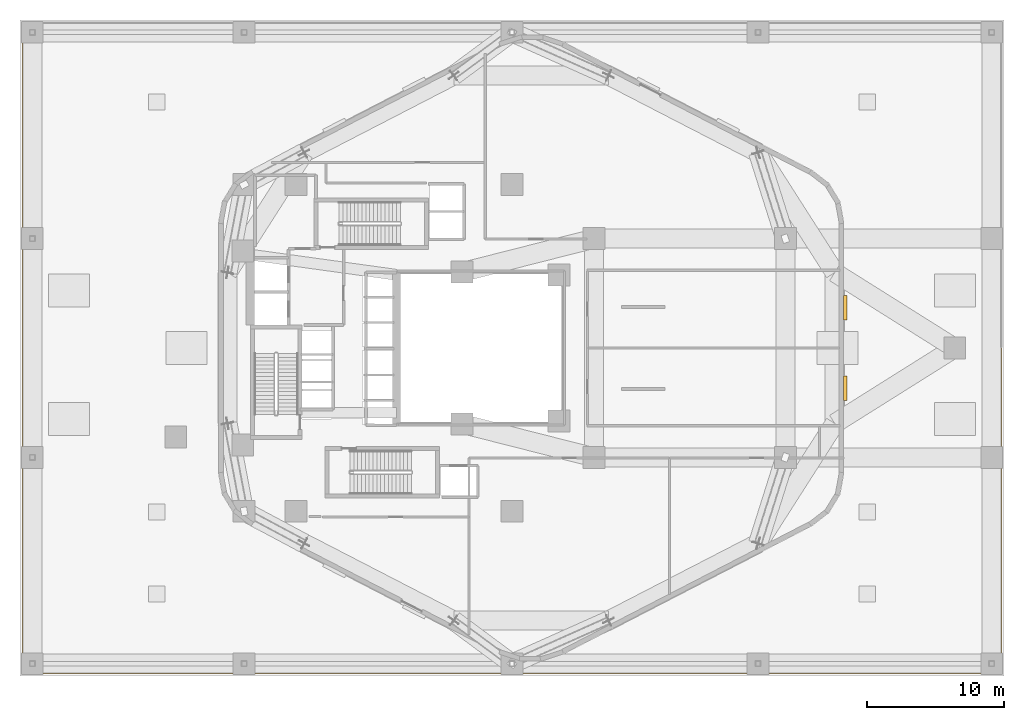
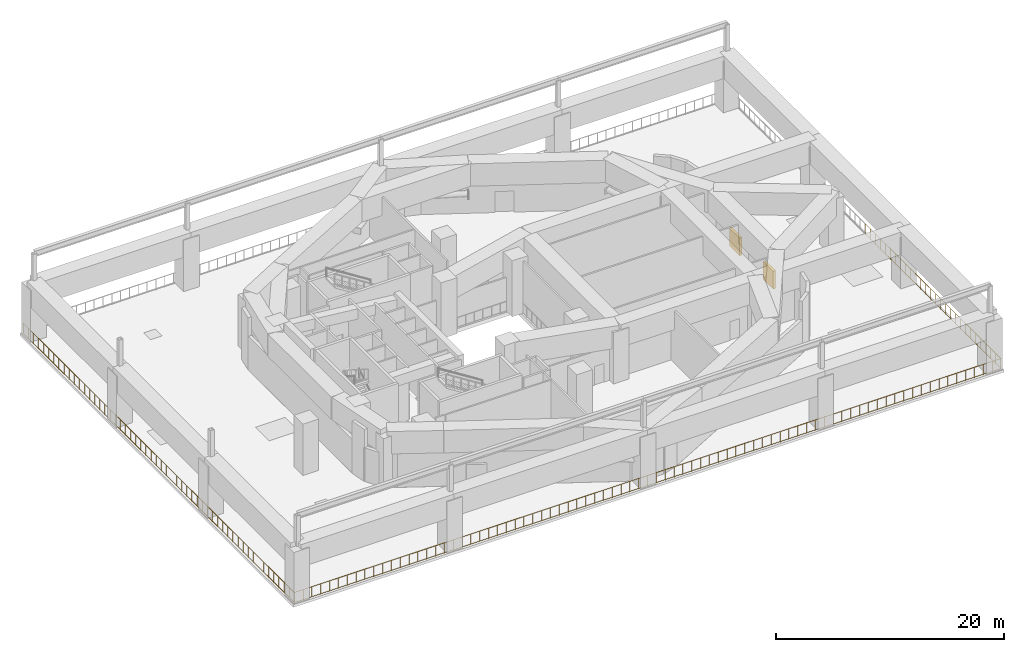
# One storey, part 13 of 15: 2 shading devices, 1 railing.
"""IFC4 building model written with IfcOpenShell, lengths in metres."""

from ifc_helpers import new_model, si_unit, direction, frame, origin, origin_2d, place, context, subcontext, project, spatial, rectangle, circle, extrude, material, type_object, element, save


model = new_model("IFC4")

# Units and contexts
model_context = context("Model", 3, precision=1e-05, world=origin(), true_north=direction((0.0, 1.0)))
body_context = subcontext(model_context, "Body", "Model", "MODEL_VIEW")
ifc_project = project(units=[si_unit("LENGTHUNIT", "METRE"), si_unit("AREAUNIT", "SQUARE_METRE"), si_unit("VOLUMEUNIT", "CUBIC_METRE"), si_unit("PLANEANGLEUNIT", "RADIAN"), si_unit("MASSUNIT", "GRAM", prefix="KILO"), si_unit("THERMODYNAMICTEMPERATUREUNIT", "KELVIN"), si_unit("POWERUNIT", "WATT")], contexts=[model_context])

# Site, building, storey
site_placement = place(None, origin())
site = spatial("IfcSite", under=ifc_project, at=site_placement, CompositionType="ELEMENT")
building_placement = place(site_placement, origin())
building = spatial("IfcBuilding", under=site, at=building_placement, Name="Skarre Station Tower", CompositionType="ELEMENT")
storey_placement = place(building_placement, frame((0.0, 0.0, 21.0)))
storey = spatial("IfcBuildingStorey", under=building, at=storey_placement, Name="L05", CompositionType="ELEMENT", Elevation=21.0)

# Railing
ifc_material_1 = material(Name="Stainless Steel Grade 316L & Laminated Safety Glass", Category="steel")
railing_type = type_object("IfcRailingType", Name="Laminated Glass & Stainless Terrace Guardrail 1150", PredefinedType="BALUSTRADE", material=ifc_material_1)
railing_placement = place(storey_placement, frame((0.199951171875, 47.800048828125, 0.0)))
element("IfcRailing", 1, at=railing_placement, inside=storey, type_object=railing_type, Name="L05 Podium Roof Garden South-West Guardrail", PredefinedType="BALUSTRADE", context=body_context, shape_type="SweptSolid", body=[
    extrude(circle(Radius=0.02392578125, at=origin_2d()), frame((0.0, 0.0, 1.1259765625), z_axis=(0.0, -1.0, 0.0), x_axis=(1.0, 0.0, 0.0)), (0.0, 0.0, 1.0), 47.60009765625),
    extrude(circle(Radius=0.02099609375, at=origin_2d()), frame((0.0, 0.0, 0.06005859375), z_axis=(0.0, -1.0, 0.0), x_axis=(1.0, 0.0, 0.0)), (0.0, 0.0, 1.0), 47.60009765625),
    extrude(circle(Radius=0.02392578125, at=origin_2d()), frame((0.0, -47.60009765625, 1.1259765625), z_axis=(1.0, 0.0, 0.0), x_axis=(0.0, 1.0, 0.0)), (0.0, 0.0, 1.0), 71.60009765625),
    extrude(circle(Radius=0.02099609375, at=origin_2d()), frame((0.0, -47.60009765625, 0.06005859375), z_axis=(1.0, 0.0, 0.0), x_axis=(0.0, 1.0, 0.0)), (0.0, 0.0, 1.0), 71.60009765625),
    extrude(circle(Radius=0.02392578125, at=origin_2d()), frame((71.60009765625, -47.60009765625, 1.1259765625), z_axis=(0.0, 1.0, 0.0), x_axis=(-1.0, 0.0, 0.0)), (0.0, 0.0, 1.0), 23.800048828125),
    extrude(circle(Radius=0.02099609375, at=origin_2d()), frame((71.60009765625, -47.60009765625, 0.06005859375), z_axis=(0.0, 1.0, 0.0), x_axis=(-1.0, 0.0, 0.0)), (0.0, 0.0, 1.0), 23.800048828125),
    extrude(circle(Radius=0.02099609375, at=origin_2d()), origin(), (0.0, 0.0, 1.0), 1.101806640625),
    extrude(circle(Radius=0.02099609375, at=origin_2d()), frame((0.0, -0.898193359375, 0.0)), (0.0, 0.0, 1.0), 1.101806640625),
    extrude(circle(Radius=0.02099609375, at=origin_2d()), frame((0.0, -1.796142578125, 0.0)), (0.0, 0.0, 1.0), 1.101806640625),
    extrude(circle(Radius=0.02099609375, at=origin_2d()), frame((0.0, -2.6943359375, 0.0)), (0.0, 0.0, 1.0), 1.101806640625),
    extrude(circle(Radius=0.02099609375, at=origin_2d()), frame((0.0, -3.592529296875, 0.0)), (0.0, 0.0, 1.0), 1.101806640625),
    extrude(circle(Radius=0.02099609375, at=origin_2d()), frame((0.0, -4.490478515625, 0.0)), (0.0, 0.0, 1.0), 1.101806640625),
    extrude(circle(Radius=0.02099609375, at=origin_2d()), frame((0.0, -5.388671875, 0.0)), (0.0, 0.0, 1.0), 1.101806640625),
    extrude(circle(Radius=0.02099609375, at=origin_2d()), frame((0.0, -6.286865234375, 0.0)), (0.0, 0.0, 1.0), 1.101806640625),
    extrude(circle(Radius=0.02099609375, at=origin_2d()), frame((0.0, -7.184814453125, 0.0)), (0.0, 0.0, 1.0), 1.101806640625),
    extrude(circle(Radius=0.02099609375, at=origin_2d()), frame((0.0, -8.0830078125, 0.0)), (0.0, 0.0, 1.0), 1.101806640625),
    extrude(circle(Radius=0.02099609375, at=origin_2d()), frame((0.0, -8.981201171875, 0.0)), (0.0, 0.0, 1.0), 1.101806640625),
    extrude(circle(Radius=0.02099609375, at=origin_2d()), frame((0.0, -9.879150390625, 0.0)), (0.0, 0.0, 1.0), 1.101806640625),
    extrude(circle(Radius=0.02099609375, at=origin_2d()), frame((0.0, -10.77734375, 0.0)), (0.0, 0.0, 1.0), 1.101806640625),
    extrude(circle(Radius=0.02099609375, at=origin_2d()), frame((0.0, -11.675537109375, 0.0)), (0.0, 0.0, 1.0), 1.101806640625),
    extrude(circle(Radius=0.02099609375, at=origin_2d()), frame((0.0, -12.57373046875, 0.0)), (0.0, 0.0, 1.0), 1.101806640625),
    extrude(circle(Radius=0.02099609375, at=origin_2d()), frame((0.0, -13.4716796875, 0.0)), (0.0, 0.0, 1.0), 1.101806640625),
    extrude(circle(Radius=0.02099609375, at=origin_2d()), frame((0.0, -14.369873046875, 0.0)), (0.0, 0.0, 1.0), 1.101806640625),
    extrude(circle(Radius=0.02099609375, at=origin_2d()), frame((0.0, -15.26806640625, 0.0)), (0.0, 0.0, 1.0), 1.101806640625),
    extrude(circle(Radius=0.02099609375, at=origin_2d()), frame((0.0, -16.166015625, 0.0)), (0.0, 0.0, 1.0), 1.101806640625),
    extrude(circle(Radius=0.02099609375, at=origin_2d()), frame((0.0, -17.064208984375, 0.0)), (0.0, 0.0, 1.0), 1.101806640625),
    extrude(circle(Radius=0.02099609375, at=origin_2d()), frame((0.0, -17.96240234375, 0.0)), (0.0, 0.0, 1.0), 1.101806640625),
    extrude(circle(Radius=0.02099609375, at=origin_2d()), frame((0.0, -18.8603515625, 0.0)), (0.0, 0.0, 1.0), 1.101806640625),
    extrude(circle(Radius=0.02099609375, at=origin_2d()), frame((0.0, -19.758544921875, 0.0)), (0.0, 0.0, 1.0), 1.101806640625),
    extrude(circle(Radius=0.02099609375, at=origin_2d()), frame((0.0, -20.65673828125, 0.0)), (0.0, 0.0, 1.0), 1.101806640625),
    extrude(circle(Radius=0.02099609375, at=origin_2d()), frame((0.0, -21.5546875, 0.0)), (0.0, 0.0, 1.0), 1.101806640625),
    extrude(circle(Radius=0.02099609375, at=origin_2d()), frame((0.0, -22.452880859375, 0.0)), (0.0, 0.0, 1.0), 1.101806640625),
    extrude(circle(Radius=0.02099609375, at=origin_2d()), frame((0.0, -23.35107421875, 0.0)), (0.0, 0.0, 1.0), 1.101806640625),
    extrude(circle(Radius=0.02099609375, at=origin_2d()), frame((0.0, -24.2490234375, 0.0)), (0.0, 0.0, 1.0), 1.101806640625),
    extrude(circle(Radius=0.02099609375, at=origin_2d()), frame((0.0, -25.147216796875, 0.0)), (0.0, 0.0, 1.0), 1.101806640625),
    extrude(circle(Radius=0.02099609375, at=origin_2d()), frame((0.0, -26.04541015625, 0.0)), (0.0, 0.0, 1.0), 1.101806640625),
    extrude(circle(Radius=0.02099609375, at=origin_2d()), frame((0.0, -26.943359375, 0.0)), (0.0, 0.0, 1.0), 1.101806640625),
    extrude(circle(Radius=0.02099609375, at=origin_2d()), frame((0.0, -27.841552734375, 0.0)), (0.0, 0.0, 1.0), 1.101806640625),
    extrude(circle(Radius=0.02099609375, at=origin_2d()), frame((0.0, -28.73974609375, 0.0)), (0.0, 0.0, 1.0), 1.101806640625),
    extrude(circle(Radius=0.02099609375, at=origin_2d()), frame((0.0, -29.6376953125, 0.0)), (0.0, 0.0, 1.0), 1.101806640625),
    extrude(circle(Radius=0.02099609375, at=origin_2d()), frame((0.0, -30.535888671875, 0.0)), (0.0, 0.0, 1.0), 1.101806640625),
    extrude(circle(Radius=0.02099609375, at=origin_2d()), frame((0.0, -31.43408203125, 0.0)), (0.0, 0.0, 1.0), 1.101806640625),
    extrude(circle(Radius=0.02099609375, at=origin_2d()), frame((0.0, -32.33203125, 0.0)), (0.0, 0.0, 1.0), 1.101806640625),
    extrude(circle(Radius=0.02099609375, at=origin_2d()), frame((0.0, -33.230224609375, 0.0)), (0.0, 0.0, 1.0), 1.101806640625),
    extrude(circle(Radius=0.02099609375, at=origin_2d()), frame((0.0, -34.12841796875, 0.0)), (0.0, 0.0, 1.0), 1.101806640625),
    extrude(circle(Radius=0.02099609375, at=origin_2d()), frame((0.0, -35.0263671875, 0.0)), (0.0, 0.0, 1.0), 1.101806640625),
    extrude(circle(Radius=0.02099609375, at=origin_2d()), frame((0.0, -35.924560546875, 0.0)), (0.0, 0.0, 1.0), 1.101806640625),
    extrude(circle(Radius=0.02099609375, at=origin_2d()), frame((0.0, -36.82275390625, 0.0)), (0.0, 0.0, 1.0), 1.101806640625),
    extrude(circle(Radius=0.02099609375, at=origin_2d()), frame((0.0, -37.720947265625, 0.0)), (0.0, 0.0, 1.0), 1.101806640625),
    extrude(circle(Radius=0.02099609375, at=origin_2d()), frame((0.0, -38.618896484375, 0.0)), (0.0, 0.0, 1.0), 1.101806640625),
    extrude(circle(Radius=0.02099609375, at=origin_2d()), frame((0.0, -39.51708984375, 0.0)), (0.0, 0.0, 1.0), 1.101806640625),
    extrude(circle(Radius=0.02099609375, at=origin_2d()), frame((0.0, -40.415283203125, 0.0)), (0.0, 0.0, 1.0), 1.101806640625),
    extrude(circle(Radius=0.02099609375, at=origin_2d()), frame((0.0, -41.313232421875, 0.0)), (0.0, 0.0, 1.0), 1.101806640625),
    extrude(circle(Radius=0.02099609375, at=origin_2d()), frame((0.0, -42.21142578125, 0.0)), (0.0, 0.0, 1.0), 1.101806640625),
    extrude(circle(Radius=0.02099609375, at=origin_2d()), frame((0.0, -43.109619140625, 0.0)), (0.0, 0.0, 1.0), 1.101806640625),
    extrude(circle(Radius=0.02099609375, at=origin_2d()), frame((0.0, -44.007568359375, 0.0)), (0.0, 0.0, 1.0), 1.101806640625),
    extrude(circle(Radius=0.02099609375, at=origin_2d()), frame((0.0, -44.90576171875, 0.0)), (0.0, 0.0, 1.0), 1.101806640625),
    extrude(circle(Radius=0.02099609375, at=origin_2d()), frame((0.0, -45.803955078125, 0.0)), (0.0, 0.0, 1.0), 1.101806640625),
    extrude(circle(Radius=0.02099609375, at=origin_2d()), frame((0.0, -46.701904296875, 0.0)), (0.0, 0.0, 1.0), 1.101806640625),
    extrude(circle(Radius=0.02099609375, at=origin_2d()), frame((0.0, -47.60009765625, 0.0)), (0.0, 0.0, 1.0), 1.101806640625),
    extrude(circle(Radius=0.02099609375, at=origin_2d()), frame((0.89501953125, -47.60009765625, 0.0)), (0.0, 0.0, 1.0), 1.101806640625),
    extrude(circle(Radius=0.02099609375, at=origin_2d()), frame((1.7900390625, -47.60009765625, 0.0)), (0.0, 0.0, 1.0), 1.101806640625),
    extrude(circle(Radius=0.02099609375, at=origin_2d()), frame((2.68505859375, -47.60009765625, 0.0)), (0.0, 0.0, 1.0), 1.101806640625),
    extrude(circle(Radius=0.02099609375, at=origin_2d()), frame((3.580078125, -47.60009765625, 0.0)), (0.0, 0.0, 1.0), 1.101806640625),
    extrude(circle(Radius=0.02099609375, at=origin_2d()), frame((4.47509765625, -47.60009765625, 0.0)), (0.0, 0.0, 1.0), 1.101806640625),
    extrude(circle(Radius=0.02099609375, at=origin_2d()), frame((5.3701171875, -47.60009765625, 0.0)), (0.0, 0.0, 1.0), 1.101806640625),
    extrude(circle(Radius=0.02099609375, at=origin_2d()), frame((6.264892578125, -47.60009765625, 0.0)), (0.0, 0.0, 1.0), 1.101806640625),
    extrude(circle(Radius=0.02099609375, at=origin_2d()), frame((7.159912109375, -47.60009765625, 0.0)), (0.0, 0.0, 1.0), 1.101806640625),
    extrude(circle(Radius=0.02099609375, at=origin_2d()), frame((8.054931640625, -47.60009765625, 0.0)), (0.0, 0.0, 1.0), 1.101806640625),
    extrude(circle(Radius=0.02099609375, at=origin_2d()), frame((8.949951171875, -47.60009765625, 0.0)), (0.0, 0.0, 1.0), 1.101806640625),
    extrude(circle(Radius=0.02099609375, at=origin_2d()), frame((9.844970703125, -47.60009765625, 0.0)), (0.0, 0.0, 1.0), 1.101806640625),
    extrude(circle(Radius=0.02099609375, at=origin_2d()), frame((10.739990234375, -47.60009765625, 0.0)), (0.0, 0.0, 1.0), 1.101806640625),
    extrude(circle(Radius=0.02099609375, at=origin_2d()), frame((11.635009765625, -47.60009765625, 0.0)), (0.0, 0.0, 1.0), 1.101806640625),
    extrude(circle(Radius=0.02099609375, at=origin_2d()), frame((12.530029296875, -47.60009765625, 0.0)), (0.0, 0.0, 1.0), 1.101806640625),
    extrude(circle(Radius=0.02099609375, at=origin_2d()), frame((13.425048828125, -47.60009765625, 0.0)), (0.0, 0.0, 1.0), 1.101806640625),
    extrude(circle(Radius=0.02099609375, at=origin_2d()), frame((14.320068359375, -47.60009765625, 0.0)), (0.0, 0.0, 1.0), 1.101806640625),
    extrude(circle(Radius=0.02099609375, at=origin_2d()), frame((15.215087890625, -47.60009765625, 0.0)), (0.0, 0.0, 1.0), 1.101806640625),
    extrude(circle(Radius=0.02099609375, at=origin_2d()), frame((16.110107421875, -47.60009765625, 0.0)), (0.0, 0.0, 1.0), 1.101806640625),
    extrude(circle(Radius=0.02099609375, at=origin_2d()), frame((17.005126953125, -47.60009765625, 0.0)), (0.0, 0.0, 1.0), 1.101806640625),
    extrude(circle(Radius=0.02099609375, at=origin_2d()), frame((17.89990234375, -47.60009765625, 0.0)), (0.0, 0.0, 1.0), 1.101806640625),
    extrude(circle(Radius=0.02099609375, at=origin_2d()), frame((18.794921875, -47.60009765625, 0.0)), (0.0, 0.0, 1.0), 1.101806640625),
    extrude(circle(Radius=0.02099609375, at=origin_2d()), frame((19.68994140625, -47.60009765625, 0.0)), (0.0, 0.0, 1.0), 1.101806640625),
    extrude(circle(Radius=0.02099609375, at=origin_2d()), frame((20.5849609375, -47.60009765625, 0.0)), (0.0, 0.0, 1.0), 1.101806640625),
    extrude(circle(Radius=0.02099609375, at=origin_2d()), frame((21.47998046875, -47.60009765625, 0.0)), (0.0, 0.0, 1.0), 1.101806640625),
    extrude(circle(Radius=0.02099609375, at=origin_2d()), frame((22.375, -47.60009765625, 0.0)), (0.0, 0.0, 1.0), 1.101806640625),
    extrude(circle(Radius=0.02099609375, at=origin_2d()), frame((23.27001953125, -47.60009765625, 0.0)), (0.0, 0.0, 1.0), 1.101806640625),
    extrude(circle(Radius=0.02099609375, at=origin_2d()), frame((24.1650390625, -47.60009765625, 0.0)), (0.0, 0.0, 1.0), 1.101806640625),
    extrude(circle(Radius=0.02099609375, at=origin_2d()), frame((25.06005859375, -47.60009765625, 0.0)), (0.0, 0.0, 1.0), 1.101806640625),
    extrude(circle(Radius=0.02099609375, at=origin_2d()), frame((25.955078125, -47.60009765625, 0.0)), (0.0, 0.0, 1.0), 1.101806640625),
    extrude(circle(Radius=0.02099609375, at=origin_2d()), frame((26.85009765625, -47.60009765625, 0.0)), (0.0, 0.0, 1.0), 1.101806640625),
    extrude(circle(Radius=0.02099609375, at=origin_2d()), frame((27.7451171875, -47.60009765625, 0.0)), (0.0, 0.0, 1.0), 1.101806640625),
    extrude(circle(Radius=0.02099609375, at=origin_2d()), frame((28.64013671875, -47.60009765625, 0.0)), (0.0, 0.0, 1.0), 1.101806640625),
    extrude(circle(Radius=0.02099609375, at=origin_2d()), frame((29.53515625, -47.60009765625, 0.0)), (0.0, 0.0, 1.0), 1.101806640625),
    extrude(circle(Radius=0.02099609375, at=origin_2d()), frame((30.429931640625, -47.60009765625, 0.0)), (0.0, 0.0, 1.0), 1.101806640625),
    extrude(circle(Radius=0.02099609375, at=origin_2d()), frame((31.324951171875, -47.60009765625, 0.0)), (0.0, 0.0, 1.0), 1.101806640625),
    extrude(circle(Radius=0.02099609375, at=origin_2d()), frame((32.219970703125, -47.60009765625, 0.0)), (0.0, 0.0, 1.0), 1.101806640625),
    extrude(circle(Radius=0.02099609375, at=origin_2d()), frame((33.114990234375, -47.60009765625, 0.0)), (0.0, 0.0, 1.0), 1.101806640625),
    extrude(circle(Radius=0.02099609375, at=origin_2d()), frame((34.010009765625, -47.60009765625, 0.0)), (0.0, 0.0, 1.0), 1.101806640625),
    extrude(circle(Radius=0.02099609375, at=origin_2d()), frame((34.905029296875, -47.60009765625, 0.0)), (0.0, 0.0, 1.0), 1.101806640625),
    extrude(circle(Radius=0.02099609375, at=origin_2d()), frame((35.800048828125, -47.60009765625, 0.0)), (0.0, 0.0, 1.0), 1.101806640625),
    extrude(circle(Radius=0.02099609375, at=origin_2d()), frame((36.695068359375, -47.60009765625, 0.0)), (0.0, 0.0, 1.0), 1.101806640625),
    extrude(circle(Radius=0.02099609375, at=origin_2d()), frame((37.590087890625, -47.60009765625, 0.0)), (0.0, 0.0, 1.0), 1.101806640625),
    extrude(circle(Radius=0.02099609375, at=origin_2d()), frame((38.485107421875, -47.60009765625, 0.0)), (0.0, 0.0, 1.0), 1.101806640625),
    extrude(circle(Radius=0.02099609375, at=origin_2d()), frame((39.380126953125, -47.60009765625, 0.0)), (0.0, 0.0, 1.0), 1.101806640625),
    extrude(circle(Radius=0.02099609375, at=origin_2d()), frame((40.275146484375, -47.60009765625, 0.0)), (0.0, 0.0, 1.0), 1.101806640625),
    extrude(circle(Radius=0.02099609375, at=origin_2d()), frame((41.170166015625, -47.60009765625, 0.0)), (0.0, 0.0, 1.0), 1.101806640625),
    extrude(circle(Radius=0.02099609375, at=origin_2d()), frame((42.06494140625, -47.60009765625, 0.0)), (0.0, 0.0, 1.0), 1.101806640625),
    extrude(circle(Radius=0.02099609375, at=origin_2d()), frame((42.9599609375, -47.60009765625, 0.0)), (0.0, 0.0, 1.0), 1.101806640625),
    extrude(circle(Radius=0.02099609375, at=origin_2d()), frame((43.85498046875, -47.60009765625, 0.0)), (0.0, 0.0, 1.0), 1.101806640625),
    extrude(circle(Radius=0.02099609375, at=origin_2d()), frame((44.75, -47.60009765625, 0.0)), (0.0, 0.0, 1.0), 1.101806640625),
    extrude(circle(Radius=0.02099609375, at=origin_2d()), frame((45.64501953125, -47.60009765625, 0.0)), (0.0, 0.0, 1.0), 1.101806640625),
    extrude(circle(Radius=0.02099609375, at=origin_2d()), frame((46.5400390625, -47.60009765625, 0.0)), (0.0, 0.0, 1.0), 1.101806640625),
    extrude(circle(Radius=0.02099609375, at=origin_2d()), frame((47.43505859375, -47.60009765625, 0.0)), (0.0, 0.0, 1.0), 1.101806640625),
    extrude(circle(Radius=0.02099609375, at=origin_2d()), frame((48.330078125, -47.60009765625, 0.0)), (0.0, 0.0, 1.0), 1.101806640625),
    extrude(circle(Radius=0.02099609375, at=origin_2d()), frame((49.22509765625, -47.60009765625, 0.0)), (0.0, 0.0, 1.0), 1.101806640625),
    extrude(circle(Radius=0.02099609375, at=origin_2d()), frame((50.1201171875, -47.60009765625, 0.0)), (0.0, 0.0, 1.0), 1.101806640625),
    extrude(circle(Radius=0.02099609375, at=origin_2d()), frame((51.01513671875, -47.60009765625, 0.0)), (0.0, 0.0, 1.0), 1.101806640625),
    extrude(circle(Radius=0.02099609375, at=origin_2d()), frame((51.91015625, -47.60009765625, 0.0)), (0.0, 0.0, 1.0), 1.101806640625),
    extrude(circle(Radius=0.02099609375, at=origin_2d()), frame((52.80517578125, -47.60009765625, 0.0)), (0.0, 0.0, 1.0), 1.101806640625),
    extrude(circle(Radius=0.02099609375, at=origin_2d()), frame((53.7001953125, -47.60009765625, 0.0)), (0.0, 0.0, 1.0), 1.101806640625),
    extrude(circle(Radius=0.02099609375, at=origin_2d()), frame((54.594970703125, -47.60009765625, 0.0)), (0.0, 0.0, 1.0), 1.101806640625),
    extrude(circle(Radius=0.02099609375, at=origin_2d()), frame((55.489990234375, -47.60009765625, 0.0)), (0.0, 0.0, 1.0), 1.101806640625),
    extrude(circle(Radius=0.02099609375, at=origin_2d()), frame((56.385009765625, -47.60009765625, 0.0)), (0.0, 0.0, 1.0), 1.101806640625),
    extrude(circle(Radius=0.02099609375, at=origin_2d()), frame((57.280029296875, -47.60009765625, 0.0)), (0.0, 0.0, 1.0), 1.101806640625),
    extrude(circle(Radius=0.02099609375, at=origin_2d()), frame((58.175048828125, -47.60009765625, 0.0)), (0.0, 0.0, 1.0), 1.101806640625),
    extrude(circle(Radius=0.02099609375, at=origin_2d()), frame((59.070068359375, -47.60009765625, 0.0)), (0.0, 0.0, 1.0), 1.101806640625),
    extrude(circle(Radius=0.02099609375, at=origin_2d()), frame((59.965087890625, -47.60009765625, 0.0)), (0.0, 0.0, 1.0), 1.101806640625),
    extrude(circle(Radius=0.02099609375, at=origin_2d()), frame((60.860107421875, -47.60009765625, 0.0)), (0.0, 0.0, 1.0), 1.101806640625),
    extrude(circle(Radius=0.02099609375, at=origin_2d()), frame((61.755126953125, -47.60009765625, 0.0)), (0.0, 0.0, 1.0), 1.101806640625),
    extrude(circle(Radius=0.02099609375, at=origin_2d()), frame((62.650146484375, -47.60009765625, 0.0)), (0.0, 0.0, 1.0), 1.101806640625),
    extrude(circle(Radius=0.02099609375, at=origin_2d()), frame((63.545166015625, -47.60009765625, 0.0)), (0.0, 0.0, 1.0), 1.101806640625),
    extrude(circle(Radius=0.02099609375, at=origin_2d()), frame((64.440185546875, -47.60009765625, 0.0)), (0.0, 0.0, 1.0), 1.101806640625),
    extrude(circle(Radius=0.02099609375, at=origin_2d()), frame((65.335205078125, -47.60009765625, 0.0)), (0.0, 0.0, 1.0), 1.101806640625),
    extrude(circle(Radius=0.02099609375, at=origin_2d()), frame((66.22998046875, -47.60009765625, 0.0)), (0.0, 0.0, 1.0), 1.101806640625),
    extrude(circle(Radius=0.02099609375, at=origin_2d()), frame((67.125, -47.60009765625, 0.0)), (0.0, 0.0, 1.0), 1.101806640625),
    extrude(circle(Radius=0.02099609375, at=origin_2d()), frame((68.02001953125, -47.60009765625, 0.0)), (0.0, 0.0, 1.0), 1.101806640625),
    extrude(circle(Radius=0.02099609375, at=origin_2d()), frame((68.9150390625, -47.60009765625, 0.0)), (0.0, 0.0, 1.0), 1.101806640625),
    extrude(circle(Radius=0.02099609375, at=origin_2d()), frame((69.81005859375, -47.60009765625, 0.0)), (0.0, 0.0, 1.0), 1.101806640625),
    extrude(circle(Radius=0.02099609375, at=origin_2d()), frame((70.705078125, -47.60009765625, 0.0)), (0.0, 0.0, 1.0), 1.101806640625),
    extrude(circle(Radius=0.02099609375, at=origin_2d()), frame((71.60009765625, -47.60009765625, 0.0)), (0.0, 0.0, 1.0), 1.101806640625),
    extrude(circle(Radius=0.02099609375, at=origin_2d()), frame((71.60009765625, -46.718505859375, 0.0)), (0.0, 0.0, 1.0), 1.101806640625),
    extrude(circle(Radius=0.02099609375, at=origin_2d()), frame((71.60009765625, -45.837158203125, 0.0)), (0.0, 0.0, 1.0), 1.101806640625),
    extrude(circle(Radius=0.02099609375, at=origin_2d()), frame((71.60009765625, -44.95556640625, 0.0)), (0.0, 0.0, 1.0), 1.101806640625),
    extrude(circle(Radius=0.02099609375, at=origin_2d()), frame((71.60009765625, -44.07421875, 0.0)), (0.0, 0.0, 1.0), 1.101806640625),
    extrude(circle(Radius=0.02099609375, at=origin_2d()), frame((71.60009765625, -43.192626953125, 0.0)), (0.0, 0.0, 1.0), 1.101806640625),
    extrude(circle(Radius=0.02099609375, at=origin_2d()), frame((71.60009765625, -42.311279296875, 0.0)), (0.0, 0.0, 1.0), 1.101806640625),
    extrude(circle(Radius=0.02099609375, at=origin_2d()), frame((71.60009765625, -41.4296875, 0.0)), (0.0, 0.0, 1.0), 1.101806640625),
    extrude(circle(Radius=0.02099609375, at=origin_2d()), frame((71.60009765625, -40.54833984375, 0.0)), (0.0, 0.0, 1.0), 1.101806640625),
    extrude(circle(Radius=0.02099609375, at=origin_2d()), frame((71.60009765625, -39.666748046875, 0.0)), (0.0, 0.0, 1.0), 1.101806640625),
    extrude(circle(Radius=0.02099609375, at=origin_2d()), frame((71.60009765625, -38.78515625, 0.0)), (0.0, 0.0, 1.0), 1.101806640625),
    extrude(circle(Radius=0.02099609375, at=origin_2d()), frame((71.60009765625, -37.90380859375, 0.0)), (0.0, 0.0, 1.0), 1.101806640625),
    extrude(circle(Radius=0.02099609375, at=origin_2d()), frame((71.60009765625, -37.022216796875, 0.0)), (0.0, 0.0, 1.0), 1.101806640625),
    extrude(circle(Radius=0.02099609375, at=origin_2d()), frame((71.60009765625, -36.140869140625, 0.0)), (0.0, 0.0, 1.0), 1.101806640625),
    extrude(circle(Radius=0.02099609375, at=origin_2d()), frame((71.60009765625, -35.25927734375, 0.0)), (0.0, 0.0, 1.0), 1.101806640625),
    extrude(circle(Radius=0.02099609375, at=origin_2d()), frame((71.60009765625, -34.3779296875, 0.0)), (0.0, 0.0, 1.0), 1.101806640625),
    extrude(circle(Radius=0.02099609375, at=origin_2d()), frame((71.60009765625, -33.496337890625, 0.0)), (0.0, 0.0, 1.0), 1.101806640625),
    extrude(circle(Radius=0.02099609375, at=origin_2d()), frame((71.60009765625, -32.614990234375, 0.0)), (0.0, 0.0, 1.0), 1.101806640625),
    extrude(circle(Radius=0.02099609375, at=origin_2d()), frame((71.60009765625, -31.7333984375, 0.0)), (0.0, 0.0, 1.0), 1.101806640625),
    extrude(circle(Radius=0.02099609375, at=origin_2d()), frame((71.60009765625, -30.851806640625, 0.0)), (0.0, 0.0, 1.0), 1.101806640625),
    extrude(circle(Radius=0.02099609375, at=origin_2d()), frame((71.60009765625, -29.970458984375, 0.0)), (0.0, 0.0, 1.0), 1.101806640625),
    extrude(circle(Radius=0.02099609375, at=origin_2d()), frame((71.60009765625, -29.0888671875, 0.0)), (0.0, 0.0, 1.0), 1.101806640625),
    extrude(circle(Radius=0.02099609375, at=origin_2d()), frame((71.60009765625, -28.20751953125, 0.0)), (0.0, 0.0, 1.0), 1.101806640625),
    extrude(circle(Radius=0.02099609375, at=origin_2d()), frame((71.60009765625, -27.325927734375, 0.0)), (0.0, 0.0, 1.0), 1.101806640625),
    extrude(circle(Radius=0.02099609375, at=origin_2d()), frame((71.60009765625, -26.444580078125, 0.0)), (0.0, 0.0, 1.0), 1.101806640625),
    extrude(circle(Radius=0.02099609375, at=origin_2d()), frame((71.60009765625, -25.56298828125, 0.0)), (0.0, 0.0, 1.0), 1.101806640625),
    extrude(circle(Radius=0.02099609375, at=origin_2d()), frame((71.60009765625, -24.681640625, 0.0)), (0.0, 0.0, 1.0), 1.101806640625),
    extrude(circle(Radius=0.02099609375, at=origin_2d()), frame((71.60009765625, -23.800048828125, 0.0)), (0.0, 0.0, 1.0), 1.101806640625),
])

# Shading devices
ifc_material_2 = material(Name="Powder-Coated Aluminium Acoustic Louvre", Category="aluminium")
shading_device_type = type_object("IfcShadingDeviceType", Name="Plant Intake Acoustic Weather Louvre 1800x2200", PredefinedType="JALOUSIE", material=ifc_material_2)
for number, where, z_axis, x_axis, name in (
    (2, (60.373046875, 26.945068359375, 0.5), (0.0, 0.0, 1.0), (1.0, 0.0, 0.0), "L05 Facet 5 Mechanical Intake Louvre 1"),
    (3, (60.373046875, 21.054931640625, 0.5), (0.0, 0.0, 1.0), (1.0, 0.0, 0.0), "L05 Facet 5 Mechanical Intake Louvre 2"),
):
    element("IfcShadingDevice", number, at=place(storey_placement, frame(where, z_axis=z_axis, x_axis=x_axis)), inside=storey, type_object=shading_device_type, Name=name, PredefinedType="JALOUSIE", context=body_context, shape_type="SweptSolid", body=[
        extrude(rectangle(XDim=0.25, YDim=1.800048828125, at=origin_2d()), origin(), (0.0, 0.0, 1.0), 1.89990234375),
    ])

save(model, "model.ifc")
